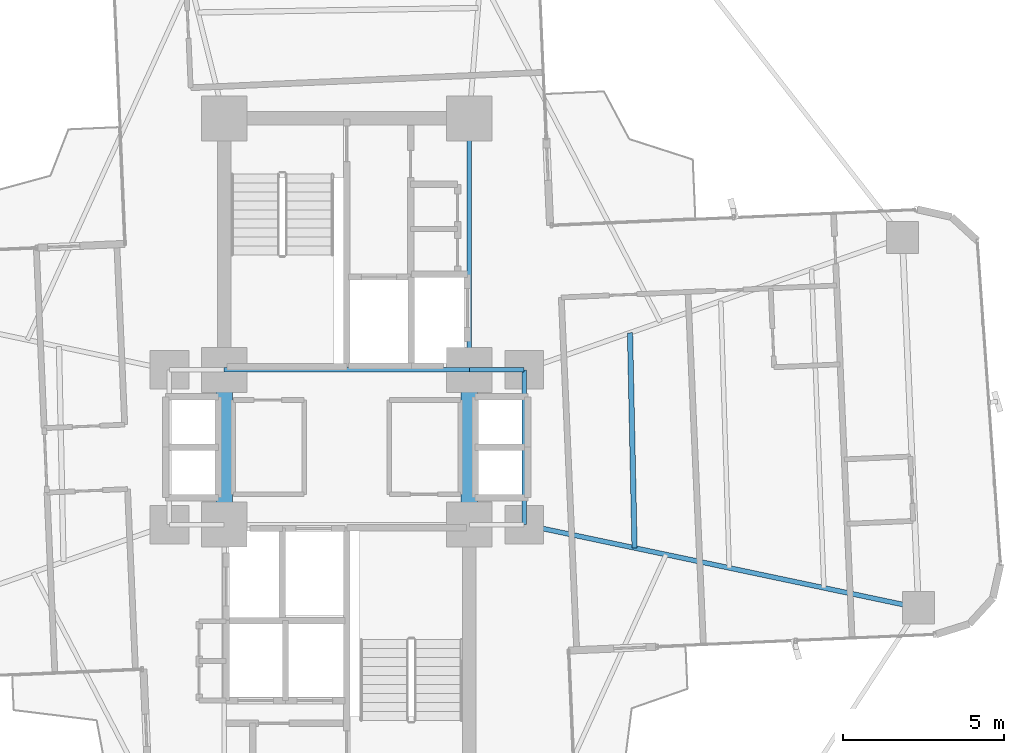
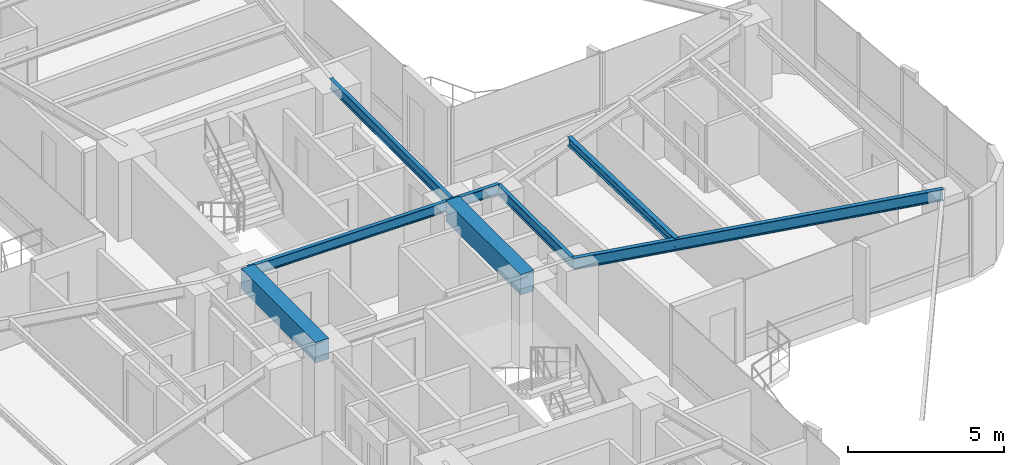
# One storey, part 12 of 26: 8 beams.
"""IFC4 building model written with IfcOpenShell, lengths in metres."""

from ifc_helpers import new_model, si_unit, direction, frame, origin, origin_2d, place, context, subcontext, project, spatial, rectangle, i_section, extrude, source, transform, mapped, material, material_profile, profile_set, type_object, element, save


model = new_model("IFC4")

# Units and contexts
model_context = context("Model", 3, precision=1e-05, world=origin(), true_north=direction((0.0, 1.0)))
body_context = subcontext(model_context, "Body", "Model", "MODEL_VIEW")
ifc_project = project(units=[si_unit("LENGTHUNIT", "METRE"), si_unit("AREAUNIT", "SQUARE_METRE"), si_unit("VOLUMEUNIT", "CUBIC_METRE"), si_unit("PLANEANGLEUNIT", "RADIAN"), si_unit("MASSUNIT", "GRAM", prefix="KILO")], contexts=[model_context])

# Site, building, storey
site_placement = place(None, origin())
site = spatial("IfcSite", under=ifc_project, at=site_placement, CompositionType="ELEMENT")
building_placement = place(site_placement, origin())
building = spatial("IfcBuilding", under=site, at=building_placement, Name="Sahyath Konkavel Grand Hotel", CompositionType="ELEMENT")
storey_placement = place(building_placement, frame((0.0, 0.0, 93.550048828125)))
storey = spatial("IfcBuildingStorey", under=building, at=storey_placement, Name="L25", CompositionType="ELEMENT", Elevation=93.550048828125)

# Beams
ifc_material_1 = material(Name="Steel E350", Category="steel")
ifc_material_profile_1 = material_profile(ifc_material_1, i_section(OverallWidth=0.139892578125, OverallDepth=0.39990234375, WebThickness=0.0087890625, FlangeThickness=0.01611328125, FilletRadius=0.013916015625, at=origin_2d()), Name="ISMB 400")
ifc_profile_set_1 = profile_set([ifc_material_profile_1], Name="Steel E350")
beam_type_1 = type_object("IfcBeamType", Name="BM-ISMB400", PredefinedType="BEAM", material=ifc_profile_set_1)
shared_shape_1 = source(origin(), body_context, "Body", "SweptSolid", [
    extrude(i_section(OverallWidth=0.139892578125, OverallDepth=0.39990234375, WebThickness=0.0087890625, FlangeThickness=0.01611328125, FilletRadius=0.013916015625, at=origin_2d()), origin(), (0.0, 0.0, 1.0), 7.60009765625),
])
beam_1_placement = place(storey_placement, frame((-3.800048828125, 2.39990234375, 2.909912109375), z_axis=(1.0, 0.0, 0.0), x_axis=(0.0, 1.0, 0.0)))
element("IfcBeam", 1, at=beam_1_placement, inside=storey, type_object=beam_type_1, Name="str:bm:L25:NC-S", PredefinedType="BEAM", context=body_context, shape_type="MappedRepresentation", body=[
    mapped(shared_shape_1, transform((0.0, 0.0, 0.0), scale=1.0)),
])
shared_shape_2 = source(origin(), body_context, "Body", "SweptSolid", [
    extrude(i_section(OverallWidth=0.139892578125, OverallDepth=0.39990234375, WebThickness=0.0087890625, FlangeThickness=0.01611328125, FilletRadius=0.013916015625, at=origin_2d()), origin(), (0.0, 0.0, 1.0), 7.800048828125),
])
beam_2_placement = place(storey_placement, frame((3.800048828125, 2.39990234375, 2.909912109375), z_axis=(0.0, 1.0, 0.0), x_axis=(-1.0, 0.0, 0.0)))
element("IfcBeam", 2, at=beam_2_placement, inside=storey, type_object=beam_type_1, Name="str:bm:L25:NC-E", PredefinedType="BEAM", context=body_context, shape_type="MappedRepresentation", body=[
    mapped(shared_shape_2, transform((0.0, 0.0, 0.0), scale=1.0)),
])
shared_shape_3 = source(origin(), body_context, "Body", "SweptSolid", [
    extrude(i_section(OverallWidth=0.139892578125, OverallDepth=0.39990234375, WebThickness=0.0087890625, FlangeThickness=0.01611328125, FilletRadius=0.013916015625, at=origin_2d()), origin(), (0.0, 0.0, 1.0), 1.699951171875),
])
beam_3_placement = place(storey_placement, frame((3.800048828125, 2.39990234375, 2.909912109375), z_axis=(1.0, 0.0, 0.0), x_axis=(0.0, 1.0, 0.0)))
element("IfcBeam", 3, at=beam_3_placement, inside=storey, type_object=beam_type_1, Name="str:bm:L25:HB-NE", PredefinedType="BEAM", context=body_context, shape_type="MappedRepresentation", body=[
    mapped(shared_shape_3, transform((0.0, 0.0, 0.0), scale=1.0)),
])
shared_shape_4 = source(origin(), body_context, "Body", "SweptSolid", [
    extrude(i_section(OverallWidth=0.139892578125, OverallDepth=0.39990234375, WebThickness=0.0087890625, FlangeThickness=0.01611328125, FilletRadius=0.013916015625, at=origin_2d()), origin(), (0.0, 0.0, 1.0), 4.7998046875),
])
beam_4_placement = place(storey_placement, frame((5.5, -2.39990234375, 2.909912109375), z_axis=(0.0, 1.0, 0.0), x_axis=(-1.0, 0.0, 0.0)))
element("IfcBeam", 4, at=beam_4_placement, inside=storey, type_object=beam_type_1, Name="str:bm:L25:HB-E", PredefinedType="BEAM", context=body_context, shape_type="MappedRepresentation", body=[
    mapped(shared_shape_4, transform((0.0, 0.0, 0.0), scale=1.0)),
])
ifc_material_2 = material(Name="Concrete C50/60", Category="concrete")
ifc_material_profile_2 = material_profile(ifc_material_2, rectangle(XDim=0.5, YDim=0.800048828125, at=origin_2d()), Name="RC 500x800")
ifc_profile_set_2 = profile_set([ifc_material_profile_2], Name="Concrete C50/60")
beam_type_2 = type_object("IfcBeamType", Name="BM-CB500x800", PredefinedType="LINTEL", material=ifc_profile_set_2)
shared_shape_5 = source(origin(), body_context, "Body", "SweptSolid", [
    extrude(rectangle(XDim=0.5, YDim=0.800048828125, at=origin_2d()), origin(), (0.0, 0.0, 1.0), 4.7998046875),
])
for number, where, z_axis, x_axis, name in (
    (5, (-3.800048828125, -2.39990234375, 2.7099609375), (0.0, 1.0, 0.0), (-1.0, 0.0, 0.0), "L25 Split-Core Coupling Beam West"),
    (6, (3.800048828125, -2.39990234375, 2.7099609375), (0.0, 1.0, 0.0), (-1.0, 0.0, 0.0), "L25 Split-Core Coupling Beam East"),
):
    element("IfcBeam", number, at=place(storey_placement, frame(where, z_axis=z_axis, x_axis=x_axis)), inside=storey, type_object=beam_type_2, Name=name, PredefinedType="LINTEL", context=body_context, shape_type="MappedRepresentation", body=[
        mapped(shared_shape_5, transform((0.0, 0.0, 0.0), scale=1.0)),
    ])
ifc_material_profile_3 = material_profile(ifc_material_1, i_section(OverallWidth=0.14990234375, OverallDepth=0.449951171875, WebThickness=0.009521484375, FlangeThickness=0.017333984375, FilletRadius=0.014892578125, at=origin_2d()), Name="ISMB 450")
ifc_profile_set_3 = profile_set([ifc_material_profile_3], Name="Steel E350")
beam_type_3 = type_object("IfcBeamType", Name="BM-ISMB450", PredefinedType="BEAM", material=ifc_profile_set_3)
shared_shape_6 = source(origin(), body_context, "Body", "SweptSolid", [
    extrude(i_section(OverallWidth=0.14990234375, OverallDepth=0.449951171875, WebThickness=0.009521484375, FlangeThickness=0.017333984375, FilletRadius=0.014892578125, at=origin_2d()), origin(), (0.0, 0.0, 1.0), 12.50341796875),
])
beam_5_placement = place(storey_placement, frame((5.5, -2.39990234375, 2.885009765625), z_axis=(0.978457911392, -0.206446398937, 0.0), x_axis=(0.206446398937, 0.978457911392, 0.0)))
element("IfcBeam", 7, at=beam_5_placement, inside=storey, type_object=beam_type_3, Name="L25 Cruciform Radial Girder EA", PredefinedType="BEAM", context=body_context, shape_type="MappedRepresentation", body=[
    mapped(shared_shape_6, transform((0.0, 0.0, 0.0), scale=1.0)),
])
ifc_material_profile_4 = material_profile(ifc_material_1, i_section(OverallWidth=0.1650390625, OverallDepth=0.324951171875, WebThickness=0.007080078125, FlangeThickness=0.009765625, FilletRadius=0.014892578125, at=origin_2d()), Name="ISLB 325")
ifc_profile_set_4 = profile_set([ifc_material_profile_4], Name="Steel E350")
beam_type_4 = type_object("IfcBeamType", Name="BM-ISLB325", PredefinedType="BEAM", material=ifc_profile_set_4)
shared_shape_7 = source(origin(), body_context, "Body", "SweptSolid", [
    extrude(i_section(OverallWidth=0.1650390625, OverallDepth=0.324951171875, WebThickness=0.007080078125, FlangeThickness=0.009765625, FilletRadius=0.014892578125, at=origin_2d()), origin(), (0.0, 0.0, 1.0), 6.674560546875),
])
beam_6_placement = place(storey_placement, frame((8.925537109375, -3.122802734375, 2.947509765625), z_axis=(-0.021032188543, 0.999778799058, 0.0), x_axis=(-0.999778799058, -0.021032188543, 0.0)))
element("IfcBeam", 8, at=beam_6_placement, inside=storey, type_object=beam_type_4, Name="L25 Secondary Floor Beam E-1", PredefinedType="BEAM", context=body_context, shape_type="MappedRepresentation", body=[
    mapped(shared_shape_7, transform((0.0, 0.0, 0.0), scale=1.0)),
])

save(model, "model.ifc")
